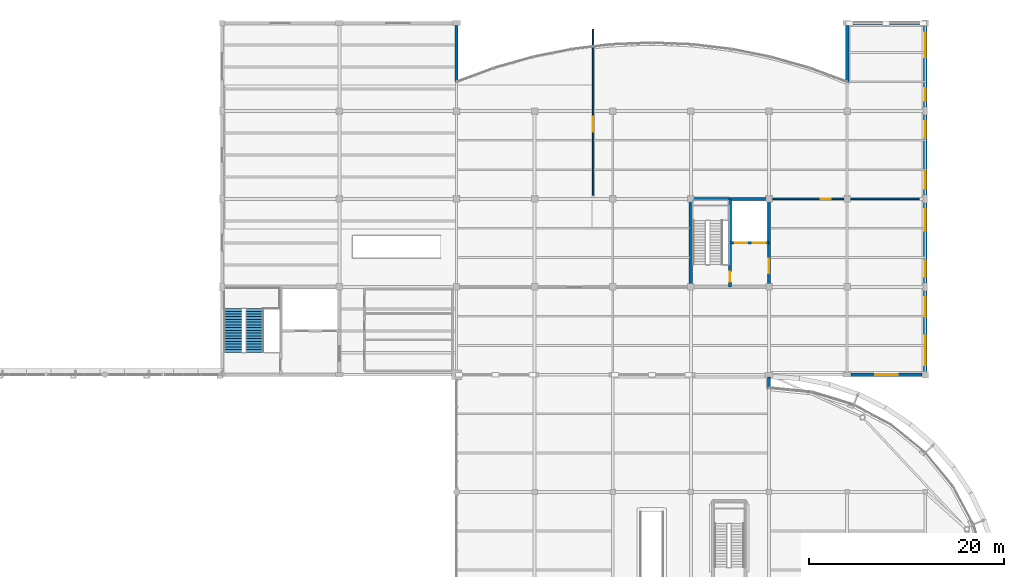
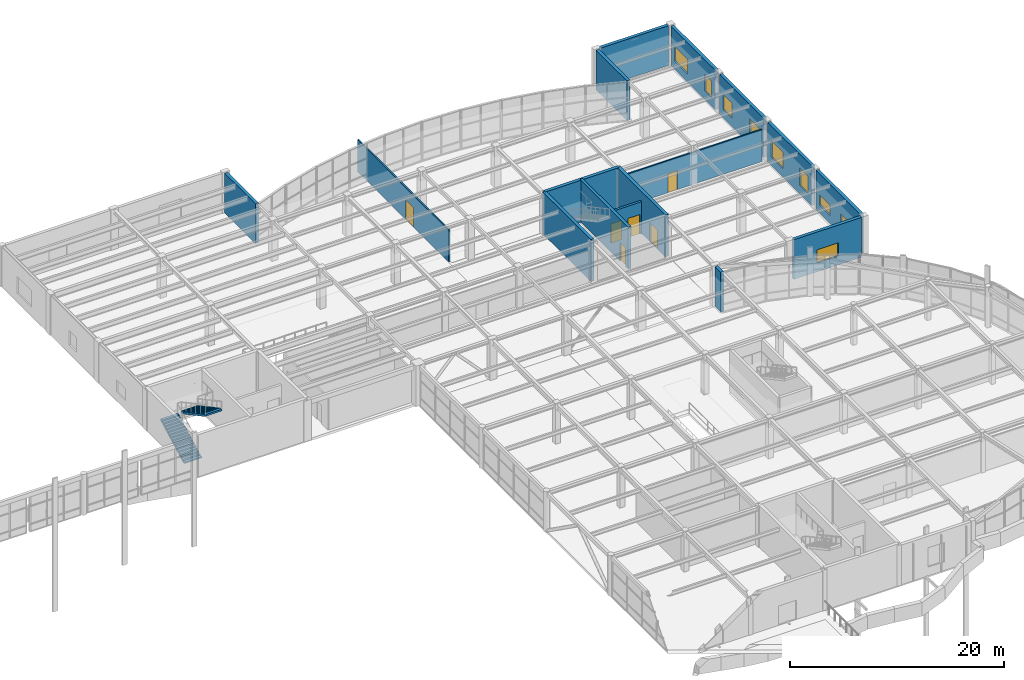
# One storey, part 48 of 63: 16 walls, 9 windows, 6 doors, 2 stair flights, 15 openings, 1 element without a shape of its own.
"""IFC4 building model written with IfcOpenShell, lengths in metres."""

from ifc_helpers import new_model, si_unit, direction, frame, frame_2d, origin, place, context, subcontext, project, spatial, polyline, rectangle, outline, extrude, material, layer, layer_set, type_object, element, fill, aggregate, save


model = new_model("IFC4")

# Units and contexts
model_context = context("Model", 3, precision=1e-05, world=origin(), true_north=direction((0.0, 1.0)))
body_context = subcontext(model_context, "Body", "Model", "MODEL_VIEW")
ifc_project = project(units=[si_unit("LENGTHUNIT", "METRE"), si_unit("AREAUNIT", "SQUARE_METRE"), si_unit("VOLUMEUNIT", "CUBIC_METRE"), si_unit("PLANEANGLEUNIT", "RADIAN"), si_unit("MASSUNIT", "GRAM", prefix="KILO")], contexts=[model_context])

# Site, building, storey
site_placement = place(None, origin())
site = spatial("IfcSite", under=ifc_project, at=site_placement, CompositionType="ELEMENT")
building_placement = place(site_placement, origin())
building = spatial("IfcBuilding", under=site, at=building_placement, Name="Keelwater Ferry Terminal", CompositionType="ELEMENT")
storey_placement = place(building_placement, frame((0.0, 0.0, 10.199951171875)))
storey = spatial("IfcBuildingStorey", under=building, at=storey_placement, Name="L02", CompositionType="ELEMENT", Elevation=10.199951171875)

# Wall
ifc_material_1 = material(Name="Precast concrete C40/50", Category="concrete")
ifc_layer_1 = layer(ifc_material_1, 0.340087890625)
ifc_layer_set_1 = layer_set([ifc_layer_1], Name="Precast concrete C40/50")
wall_type_1 = type_object("IfcWallType", Name="EW-LM340 External Solid Wall 340", PredefinedType="SOLIDWALL", material=ifc_layer_set_1)
wall_1_placement = place(storey_placement, frame((164.0, 88.64990234375, 0.0), z_axis=(0.0, 0.0, 1.0), x_axis=(0.0, 1.0, 0.0)))
element("IfcWall", 1, at=wall_1_placement, inside=storey, type_object=wall_type_1, Name="External Wall WL-L02-0028", PredefinedType="SOLIDWALL", context=body_context, shape_type="SweptSolid", body=[
    extrude(rectangle(XDim=1.10009765625, YDim=0.340087890625, at=frame_2d((0.550048828125, 0.0))), origin(), (0.0, 0.0, 1.0), 4.52001953125),
])

# Wall, openings, windows
wall_2_placement = place(storey_placement, frame((180.0, 90.324951171875, 0.0), z_axis=(0.0, 0.0, 1.0), x_axis=(0.0, 1.0, 0.0)))
wall_2 = element("IfcWall", 2, at=wall_2_placement, inside=storey, type_object=wall_type_1, Name="External Wall WL-L02-0096", PredefinedType="SOLIDWALL", context=body_context, shape_type="SweptSolid", body=[
    extrude(rectangle(XDim=8.275146484375, YDim=0.340087890625, at=frame_2d((4.1376953125, 0.0))), origin(), (0.0, 0.0, 1.0), 4.52001953125),
])
opening_1_placement = place(wall_2_placement, frame((0.64990234375, 0.0, 0.949951171875)))
opening_1 = element("IfcOpeningElement", 3, at=opening_1_placement, cuts=wall_2, Name="Opening WN-20", PredefinedType="OPENING", context=body_context, shape_type="SweptSolid", body=[
    extrude(rectangle(XDim=3.0, YDim=1.39990234375, at=frame_2d((1.5, 0.699951171875))), frame((0.0, 0.179931640625, 0.0), z_axis=(0.0, -1.0, 0.0), x_axis=(1.0, 0.0, 0.0)), (0.0, 0.0, 1.0), 0.360107421875),
])
opening_2_placement = place(wall_2_placement, frame((5.625, 0.0, 0.949951171875)))
opening_2 = element("IfcOpeningElement", 4, at=opening_2_placement, cuts=wall_2, Name="Opening WN-21", PredefinedType="OPENING", context=body_context, shape_type="SweptSolid", body=[
    extrude(rectangle(XDim=2.0, YDim=1.199951171875, at=frame_2d((1.0, 0.60009765625))), frame((0.0, 0.179931640625, 0.0), z_axis=(0.0, -1.0, 0.0), x_axis=(1.0, 0.0, 0.0)), (0.0, 0.0, 1.0), 0.360107421875),
])
ifc_material_2 = material(Name="Triple low-E glass in thermally broken aluminium frame", Category="aluminium")
window_type_1 = type_object("IfcWindowType", Name="WN-20 Exterior Window 3000x1400", PartitioningType="SINGLE_PANEL", PredefinedType="WINDOW", material=ifc_material_2)
window_1_placement = place(opening_1_placement, origin())
window_1 = element("IfcWindow", 5, at=window_1_placement, inside=storey, type_object=window_type_1, Name="Window WN-L02-0055", OverallHeight=1.39990234375, OverallWidth=3.0, PartitioningType="SINGLE_PANEL", PredefinedType="WINDOW", context=body_context, shape_type="SweptSolid", body=[
    extrude(rectangle(XDim=3.0, YDim=1.39990234375, at=frame_2d((1.5, 0.699951171875))), frame((0.0, 0.030029296875, 0.0), z_axis=(0.0, -1.0, 0.0), x_axis=(1.0, 0.0, 0.0)), (0.0, 0.0, 1.0), 0.06005859375),
])
fill(opening_1, window_1)
ifc_material_3 = material(Name="Triple low-E glass in thermally broken aluminium frame", Category="aluminium")
window_type_2 = type_object("IfcWindowType", Name="WN-21 Exterior Window 2000x1200", PartitioningType="SINGLE_PANEL", PredefinedType="WINDOW", material=ifc_material_3)
window_2_placement = place(opening_2_placement, origin())
window_2 = element("IfcWindow", 6, at=window_2_placement, inside=storey, type_object=window_type_2, Name="Window WN-L02-0056", OverallHeight=1.199951171875, OverallWidth=2.0, PartitioningType="SINGLE_PANEL", PredefinedType="WINDOW", context=body_context, shape_type="SweptSolid", body=[
    extrude(rectangle(XDim=2.0, YDim=1.199951171875, at=frame_2d((1.0, 0.60009765625))), frame((0.0, 0.030029296875, 0.0), z_axis=(0.0, -1.0, 0.0), x_axis=(1.0, 0.0, 0.0)), (0.0, 0.0, 1.0), 0.06005859375),
])
fill(opening_2, window_2)

wall_3_placement = place(storey_placement, frame((180.0, 99.39990234375, 0.0), z_axis=(0.0, 0.0, 1.0), x_axis=(0.0, 1.0, 0.0)))
wall_3 = element("IfcWall", 7, at=wall_3_placement, inside=storey, type_object=wall_type_1, Name="External Wall WL-L02-0097", PredefinedType="SOLIDWALL", context=body_context, shape_type="SweptSolid", body=[
    extrude(rectangle(XDim=8.2001953125, YDim=0.340087890625, at=frame_2d((4.10009765625, 0.0))), origin(), (0.0, 0.0, 1.0), 4.52001953125),
])
opening_3_placement = place(wall_3_placement, frame((0.64990234375, 0.0, 0.949951171875)))
opening_3 = element("IfcOpeningElement", 8, at=opening_3_placement, cuts=wall_3, Name="Opening WN-22", PredefinedType="OPENING", context=body_context, shape_type="SweptSolid", body=[
    extrude(rectangle(XDim=1.60009765625, YDim=2.0, at=frame_2d((0.800048828125, 1.0))), frame((0.0, 0.179931640625, 0.0), z_axis=(0.0, -1.0, 0.0), x_axis=(1.0, 0.0, 0.0)), (0.0, 0.0, 1.0), 0.360107421875),
])
opening_4_placement = place(wall_3_placement, frame((5.35009765625, 0.0, 0.949951171875)))
opening_4 = element("IfcOpeningElement", 9, at=opening_4_placement, cuts=wall_3, Name="Opening WN-23", PredefinedType="OPENING", context=body_context, shape_type="SweptSolid", body=[
    extrude(rectangle(XDim=2.199951171875, YDim=1.89990234375, at=frame_2d((1.10009765625, 0.949951171875))), frame((0.0, 0.179931640625, 0.0), z_axis=(0.0, -1.0, 0.0), x_axis=(1.0, 0.0, 0.0)), (0.0, 0.0, 1.0), 0.360107421875),
])
ifc_material_4 = material(Name="Triple low-E glass in thermally broken aluminium frame", Category="aluminium")
window_type_3 = type_object("IfcWindowType", Name="WN-22 Exterior Window 1600x2000", PartitioningType="SINGLE_PANEL", PredefinedType="WINDOW", material=ifc_material_4)
window_3_placement = place(opening_3_placement, origin())
window_3 = element("IfcWindow", 10, at=window_3_placement, inside=storey, type_object=window_type_3, Name="Window WN-L02-0057", OverallHeight=2.0, OverallWidth=1.60009765625, PartitioningType="SINGLE_PANEL", PredefinedType="WINDOW", context=body_context, shape_type="SweptSolid", body=[
    extrude(rectangle(XDim=1.60009765625, YDim=2.0, at=frame_2d((0.800048828125, 1.0))), frame((0.0, 0.030029296875, 0.0), z_axis=(0.0, -1.0, 0.0), x_axis=(1.0, 0.0, 0.0)), (0.0, 0.0, 1.0), 0.06005859375),
])
fill(opening_3, window_3)
ifc_material_5 = material(Name="Triple low-E glass in thermally broken aluminium frame", Category="aluminium")
window_type_4 = type_object("IfcWindowType", Name="WN-23 Exterior Window 2200x1900", PartitioningType="SINGLE_PANEL", PredefinedType="WINDOW", material=ifc_material_5)
window_4_placement = place(opening_4_placement, origin())
window_4 = element("IfcWindow", 11, at=window_4_placement, inside=storey, type_object=window_type_4, Name="Window WN-L02-0058", OverallHeight=1.89990234375, OverallWidth=2.199951171875, PartitioningType="SINGLE_PANEL", PredefinedType="WINDOW", context=body_context, shape_type="SweptSolid", body=[
    extrude(rectangle(XDim=2.199951171875, YDim=1.89990234375, at=frame_2d((1.10009765625, 0.949951171875))), frame((0.0, 0.030029296875, 0.0), z_axis=(0.0, -1.0, 0.0), x_axis=(1.0, 0.0, 0.0)), (0.0, 0.0, 1.0), 0.06005859375),
])
fill(opening_4, window_4)

wall_4_placement = place(storey_placement, frame((180.0, 108.39990234375, 0.0), z_axis=(0.0, 0.0, 1.0), x_axis=(0.0, 1.0, 0.0)))
wall_4 = element("IfcWall", 12, at=wall_4_placement, inside=storey, type_object=wall_type_1, Name="External Wall WL-L02-0098", PredefinedType="SOLIDWALL", context=body_context, shape_type="SweptSolid", body=[
    extrude(rectangle(XDim=8.2001953125, YDim=0.340087890625, at=frame_2d((4.10009765625, 0.0))), origin(), (0.0, 0.0, 1.0), 4.52001953125),
])
opening_5_placement = place(wall_4_placement, frame((0.64990234375, 0.0, 0.949951171875)))
opening_5 = element("IfcOpeningElement", 13, at=opening_5_placement, cuts=wall_4, Name="Opening WN-24", PredefinedType="OPENING", context=body_context, shape_type="SweptSolid", body=[
    extrude(rectangle(XDim=1.89990234375, YDim=1.89990234375, at=frame_2d((0.949951171875, 0.949951171875))), frame((0.0, 0.179931640625, 0.0), z_axis=(0.0, -1.0, 0.0), x_axis=(1.0, 0.0, 0.0)), (0.0, 0.0, 1.0), 0.360107421875),
])
opening_6_placement = place(wall_4_placement, frame((5.85009765625, 0.0, 0.949951171875)))
opening_6 = element("IfcOpeningElement", 14, at=opening_6_placement, cuts=wall_4, Name="Opening WN-25", PredefinedType="OPENING", context=body_context, shape_type="SweptSolid", body=[
    extrude(rectangle(XDim=1.699951171875, YDim=1.699951171875, at=frame_2d((0.85009765625, 0.85009765625))), frame((0.0, 0.179931640625, 0.0), z_axis=(0.0, -1.0, 0.0), x_axis=(1.0, 0.0, 0.0)), (0.0, 0.0, 1.0), 0.360107421875),
])
ifc_material_6 = material(Name="Triple low-E glass in thermally broken aluminium frame", Category="aluminium")
window_type_5 = type_object("IfcWindowType", Name="WN-24 Exterior Window 1900x1900", PartitioningType="SINGLE_PANEL", PredefinedType="WINDOW", material=ifc_material_6)
window_5_placement = place(opening_5_placement, origin())
window_5 = element("IfcWindow", 15, at=window_5_placement, inside=storey, type_object=window_type_5, Name="Window WN-L02-0059", OverallHeight=1.89990234375, OverallWidth=1.89990234375, PartitioningType="SINGLE_PANEL", PredefinedType="WINDOW", context=body_context, shape_type="SweptSolid", body=[
    extrude(rectangle(XDim=1.89990234375, YDim=1.89990234375, at=frame_2d((0.949951171875, 0.949951171875))), frame((0.0, 0.030029296875, 0.0), z_axis=(0.0, -1.0, 0.0), x_axis=(1.0, 0.0, 0.0)), (0.0, 0.0, 1.0), 0.06005859375),
])
fill(opening_5, window_5)
ifc_material_7 = material(Name="Triple low-E glass in thermally broken aluminium frame", Category="aluminium")
window_type_6 = type_object("IfcWindowType", Name="WN-25 Exterior Window 1700x1700", PartitioningType="SINGLE_PANEL", PredefinedType="WINDOW", material=ifc_material_7)
window_6_placement = place(opening_6_placement, origin())
window_6 = element("IfcWindow", 16, at=window_6_placement, inside=storey, type_object=window_type_6, Name="Window WN-L02-0060", OverallHeight=1.699951171875, OverallWidth=1.699951171875, PartitioningType="SINGLE_PANEL", PredefinedType="WINDOW", context=body_context, shape_type="SweptSolid", body=[
    extrude(rectangle(XDim=1.699951171875, YDim=1.699951171875, at=frame_2d((0.85009765625, 0.85009765625))), frame((0.0, 0.030029296875, 0.0), z_axis=(0.0, -1.0, 0.0), x_axis=(1.0, 0.0, 0.0)), (0.0, 0.0, 1.0), 0.06005859375),
])
fill(opening_6, window_6)

wall_5_placement = place(storey_placement, frame((180.0, 117.39990234375, 0.0), z_axis=(0.0, 0.0, 1.0), x_axis=(0.0, 1.0, 0.0)))
wall_5 = element("IfcWall", 17, at=wall_5_placement, inside=storey, type_object=wall_type_1, Name="External Wall WL-L02-0099", PredefinedType="SOLIDWALL", context=body_context, shape_type="SweptSolid", body=[
    extrude(rectangle(XDim=8.275146484375, YDim=0.340087890625, at=frame_2d((4.1376953125, 0.0))), origin(), (0.0, 0.0, 1.0), 4.52001953125),
])
opening_7_placement = place(wall_5_placement, frame((0.64990234375, 0.0, 0.949951171875)))
opening_7 = element("IfcOpeningElement", 18, at=opening_7_placement, cuts=wall_5, Name="Opening WN-26", PredefinedType="OPENING", context=body_context, shape_type="SweptSolid", body=[
    extrude(rectangle(XDim=1.300048828125, YDim=1.89990234375, at=frame_2d((0.64990234375, 0.949951171875))), frame((0.0, 0.179931640625, 0.0), z_axis=(0.0, -1.0, 0.0), x_axis=(1.0, 0.0, 0.0)), (0.0, 0.0, 1.0), 0.360107421875),
])
opening_8_placement = place(wall_5_placement, frame((5.125, 0.0, 0.949951171875)))
opening_8 = element("IfcOpeningElement", 19, at=opening_8_placement, cuts=wall_5, Name="Opening WN-27", PredefinedType="OPENING", context=body_context, shape_type="SweptSolid", body=[
    extrude(rectangle(XDim=2.5, YDim=1.699951171875, at=frame_2d((1.25, 0.85009765625))), frame((0.0, 0.179931640625, 0.0), z_axis=(0.0, -1.0, 0.0), x_axis=(1.0, 0.0, 0.0)), (0.0, 0.0, 1.0), 0.360107421875),
])
ifc_material_8 = material(Name="Triple low-E glass in thermally broken aluminium frame", Category="aluminium")
window_type_7 = type_object("IfcWindowType", Name="WN-26 Exterior Window 1300x1900", PartitioningType="SINGLE_PANEL", PredefinedType="WINDOW", material=ifc_material_8)
window_7_placement = place(opening_7_placement, origin())
window_7 = element("IfcWindow", 20, at=window_7_placement, inside=storey, type_object=window_type_7, Name="Window WN-L02-0061", OverallHeight=1.89990234375, OverallWidth=1.300048828125, PartitioningType="SINGLE_PANEL", PredefinedType="WINDOW", context=body_context, shape_type="SweptSolid", body=[
    extrude(rectangle(XDim=1.300048828125, YDim=1.89990234375, at=frame_2d((0.64990234375, 0.949951171875))), frame((0.0, 0.030029296875, 0.0), z_axis=(0.0, -1.0, 0.0), x_axis=(1.0, 0.0, 0.0)), (0.0, 0.0, 1.0), 0.06005859375),
])
fill(opening_7, window_7)
ifc_material_9 = material(Name="Triple low-E glass in thermally broken aluminium frame", Category="aluminium")
window_type_8 = type_object("IfcWindowType", Name="WN-27 Exterior Window 2500x1700", PartitioningType="SINGLE_PANEL", PredefinedType="WINDOW", material=ifc_material_9)
window_8_placement = place(opening_8_placement, origin())
window_8 = element("IfcWindow", 21, at=window_8_placement, inside=storey, type_object=window_type_8, Name="Window WN-L02-0062", OverallHeight=1.699951171875, OverallWidth=2.5, PartitioningType="SINGLE_PANEL", PredefinedType="WINDOW", context=body_context, shape_type="SweptSolid", body=[
    extrude(rectangle(XDim=2.5, YDim=1.699951171875, at=frame_2d((1.25, 0.85009765625))), frame((0.0, 0.030029296875, 0.0), z_axis=(0.0, -1.0, 0.0), x_axis=(1.0, 0.0, 0.0)), (0.0, 0.0, 1.0), 0.06005859375),
])
fill(opening_8, window_8)

# Wall, opening, window
wall_6_placement = place(storey_placement, frame((179.675048828125, 90.0, 0.0), z_axis=(0.0, 0.0, 1.0), x_axis=(-1.0, 0.0, 0.0)))
wall_6 = element("IfcWall", 22, at=wall_6_placement, inside=storey, type_object=wall_type_1, Name="External Wall WL-L02-0100", PredefinedType="SOLIDWALL", context=body_context, shape_type="SweptSolid", body=[
    extrude(rectangle(XDim=7.275146484375, YDim=0.340087890625, at=frame_2d((3.6376953125, 0.0))), origin(), (0.0, 0.0, 1.0), 4.52001953125),
])
opening_9_placement = place(wall_6_placement, frame((2.488037109375, 0.0, 1.0)))
opening_9 = element("IfcOpeningElement", 23, at=opening_9_placement, cuts=wall_6, Name="Opening WN-28", PredefinedType="OPENING", context=body_context, shape_type="SweptSolid", body=[
    extrude(rectangle(XDim=2.300048828125, YDim=1.5, at=frame_2d((1.14990234375, 0.75))), frame((0.0, 0.179931640625, 0.0), z_axis=(0.0, -1.0, 0.0), x_axis=(1.0, 0.0, 0.0)), (0.0, 0.0, 1.0), 0.360107421875),
])
ifc_material_10 = material(Name="Triple low-E glass in thermally broken aluminium frame", Category="aluminium")
window_type_9 = type_object("IfcWindowType", Name="WN-28 Exterior Window 2300x1500", PartitioningType="SINGLE_PANEL", PredefinedType="WINDOW", material=ifc_material_10)
window_9_placement = place(opening_9_placement, origin())
window_9 = element("IfcWindow", 24, at=window_9_placement, inside=storey, type_object=window_type_9, Name="Window WN-L02-0063", OverallHeight=1.5, OverallWidth=2.300048828125, PartitioningType="SINGLE_PANEL", PredefinedType="WINDOW", context=body_context, shape_type="SweptSolid", body=[
    extrude(rectangle(XDim=2.300048828125, YDim=1.5, at=frame_2d((1.14990234375, 0.75))), frame((0.0, 0.030029296875, 0.0), z_axis=(0.0, -1.0, 0.0), x_axis=(1.0, 0.0, 0.0)), (0.0, 0.0, 1.0), 0.06005859375),
])
fill(opening_9, window_9)

# Walls
for number, where, z_axis, x_axis, name in (
    (25, (132.0, 125.75, 0.0), (0.0, 0.0, 1.0), (0.0, -1.0, 0.0), "External Wall WL-L02-0104"),
    (26, (172.0, 120.0, 0.0), (0.0, 0.0, 1.0), (0.0, 1.0, 0.0), "External Wall WL-L02-0105"),
):
    element("IfcWall", number, at=place(storey_placement, frame(where, z_axis=z_axis, x_axis=x_axis)), inside=storey, type_object=wall_type_1, Name=name, PredefinedType="SOLIDWALL", context=body_context, shape_type="SweptSolid", body=[
        extrude(rectangle(XDim=5.75, YDim=0.340087890625, at=frame_2d((2.875, 0.0))), origin(), (0.0, 0.0, 1.0), 4.52001953125),
    ])
wall_7_placement = place(storey_placement, frame((172.39990234375, 126.0, 0.0), z_axis=(0.0, 0.0, 1.0), x_axis=(1.0, 0.0, 0.0)))
element("IfcWall", 27, at=wall_7_placement, inside=storey, type_object=wall_type_1, Name="External Wall WL-L02-0108", PredefinedType="SOLIDWALL", context=body_context, shape_type="SweptSolid", body=[
    extrude(rectangle(XDim=7.275146484375, YDim=0.340087890625, at=frame_2d((3.6376953125, 0.0))), origin(), (0.0, 0.0, 1.0), 4.52001953125),
])

# Wall, openings, doors
ifc_material_11 = material(Name="Concrete C40/50", Category="concrete")
ifc_layer_2 = layer(ifc_material_11, 0.25)
ifc_layer_set_2 = layer_set([ifc_layer_2], Name="Concrete C40/50")
wall_type_2 = type_object("IfcWallType", Name="IW-250 Solid Wall 250", PredefinedType="SOLIDWALL", material=ifc_layer_set_2)
wall_8_placement = place(storey_placement, frame((164.0, 103.5, 0.0), z_axis=(0.0, 0.0, 1.0), x_axis=(-1.0, 0.0, 0.0)))
wall_8 = element("IfcWall", 28, at=wall_8_placement, inside=storey, type_object=wall_type_2, Name="Interior Wall WL-INT-L02-0072", PredefinedType="SOLIDWALL", context=body_context, shape_type="SweptSolid", body=[
    extrude(rectangle(XDim=4.0, YDim=0.25, at=frame_2d((2.0, 0.0))), origin(), (0.0, 0.0, 1.0), 3.650146484375),
])
opening_10_placement = place(wall_8_placement, frame((0.35009765625, 0.0, 0.0)))
opening_10 = element("IfcOpeningElement", 29, at=opening_10_placement, cuts=wall_8, Name="Opening LD-023", PredefinedType="OPENING", context=body_context, shape_type="SweptSolid", body=[
    extrude(rectangle(XDim=1.300048828125, YDim=2.25, at=frame_2d((0.64990234375, 1.125))), frame((0.0, 0.135009765625, 0.0), z_axis=(0.0, -1.0, 0.0), x_axis=(1.0, 0.0, 0.0)), (0.0, 0.0, 1.0), 0.27001953125),
])
opening_11_placement = place(wall_8_placement, frame((2.25, 0.0, 0.0)))
opening_11 = element("IfcOpeningElement", 30, at=opening_11_placement, cuts=wall_8, Name="Opening LD-024", PredefinedType="OPENING", context=body_context, shape_type="SweptSolid", body=[
    extrude(rectangle(XDim=1.199951171875, YDim=2.199951171875, at=frame_2d((0.60009765625, 1.10009765625))), frame((0.0, 0.135009765625, 0.0), z_axis=(0.0, -1.0, 0.0), x_axis=(1.0, 0.0, 0.0)), (0.0, 0.0, 1.0), 0.27001953125),
])
ifc_material_12 = material(Name="Stainless steel sliding landing doors", Category="steel")
door_type_1 = type_object("IfcDoorType", Name="LD-T2 Lift Landing Door 1200x2200", OperationType="DOUBLE_DOOR_SLIDING", PredefinedType="USERDEFINED", material=ifc_material_12)
door_1_placement = place(opening_11_placement, origin())
door_1 = element("IfcDoor", 31, at=door_1_placement, inside=storey, type_object=door_type_1, Name="Door LD-024", ObjectType="LANDING DOOR", OperationType="DOUBLE_DOOR_SLIDING", OverallHeight=2.199951171875, OverallWidth=1.199951171875, PredefinedType="USERDEFINED", context=body_context, shape_type="SweptSolid", body=[
    extrude(rectangle(XDim=1.199951171875, YDim=2.199951171875, at=frame_2d((0.60009765625, 1.10009765625))), frame((0.0, 0.02490234375, 0.0), z_axis=(0.0, -1.0, 0.0), x_axis=(1.0, 0.0, 0.0)), (0.0, 0.0, 1.0), 0.050048828125),
])
fill(opening_11, door_1)
ifc_material_13 = material(Name="Stainless steel sliding landing doors", Category="steel")
door_type_2 = type_object("IfcDoorType", Name="LD-T3 Lift Landing Door 1300x2250", OperationType="DOUBLE_DOOR_SLIDING", PredefinedType="USERDEFINED", material=ifc_material_13)
door_2_placement = place(opening_10_placement, origin())
door_2 = element("IfcDoor", 32, at=door_2_placement, inside=storey, type_object=door_type_2, Name="Door LD-023", ObjectType="LANDING DOOR", OperationType="DOUBLE_DOOR_SLIDING", OverallHeight=2.25, OverallWidth=1.300048828125, PredefinedType="USERDEFINED", context=body_context, shape_type="SweptSolid", body=[
    extrude(rectangle(XDim=1.300048828125, YDim=2.25, at=frame_2d((0.64990234375, 1.125))), frame((0.0, 0.02490234375, 0.0), z_axis=(0.0, -1.0, 0.0), x_axis=(1.0, 0.0, 0.0)), (0.0, 0.0, 1.0), 0.050048828125),
])
fill(opening_10, door_2)

# Wall, opening, door
ifc_material_14 = material(Name="Gypsum board on acoustic steel stud", Category="steel")
ifc_layer_3 = layer(ifc_material_14, 0.14990234375)
ifc_layer_set_3 = layer_set([ifc_layer_3], Name="Gypsum board on acoustic steel stud")
wall_type_3 = type_object("IfcWallType", Name="PT-150 Partition Wall 150", PredefinedType="PARTITIONING", material=ifc_layer_set_3)
wall_9_placement = place(storey_placement, frame((146.0, 108.39990234375, 0.0), z_axis=(0.0, 0.0, 1.0), x_axis=(0.0, 1.0, 0.0)))
wall_9 = element("IfcWall", 33, at=wall_9_placement, inside=storey, type_object=wall_type_3, Name="Interior Wall WL-INT-L02-0258", PredefinedType="PARTITIONING", context=body_context, shape_type="SweptSolid", body=[
    extrude(rectangle(XDim=17.0, YDim=0.14990234375, at=frame_2d((8.5, 0.0))), origin(), (0.0, 0.0, 1.0), 3.650146484375),
])
opening_12_placement = place(wall_9_placement, frame((6.5, 0.0, 0.0)))
opening_12 = element("IfcOpeningElement", 34, at=opening_12_placement, cuts=wall_9, Name="Opening DR-039", PredefinedType="OPENING", context=body_context, shape_type="SweptSolid", body=[
    extrude(rectangle(XDim=1.5, YDim=2.199951171875, at=frame_2d((0.75, 1.10009765625))), frame((0.0, 0.0849609375, 0.0), z_axis=(0.0, -1.0, 0.0), x_axis=(1.0, 0.0, 0.0)), (0.0, 0.0, 1.0), 0.169921875),
])
ifc_material_15 = material(Name="Acoustic oak and fire-rated steel frame door", Category="steel")
door_type_3 = type_object("IfcDoorType", Name="ID-02 Pedestrian Door 1500x2200", OperationType="DOUBLE_DOOR_SINGLE_SWING", PredefinedType="DOOR", material=ifc_material_15)
door_3_placement = place(opening_12_placement, origin())
door_3 = element("IfcDoor", 35, at=door_3_placement, inside=storey, type_object=door_type_3, Name="Door DR-039", OperationType="DOUBLE_DOOR_SINGLE_SWING", OverallHeight=2.199951171875, OverallWidth=1.5, PredefinedType="DOOR", context=body_context, shape_type="SweptSolid", body=[
    extrude(rectangle(XDim=1.5, YDim=2.199951171875, at=frame_2d((0.75, 1.10009765625))), frame((0.0, 0.02490234375, 0.0), z_axis=(0.0, -1.0, 0.0), x_axis=(1.0, 0.0, 0.0)), (0.0, 0.0, 1.0), 0.050048828125),
])
fill(opening_12, door_3)

wall_10_placement = place(storey_placement, frame((164.39990234375, 108.0, 0.0), z_axis=(0.0, 0.0, 1.0), x_axis=(1.0, 0.0, 0.0)))
wall_10 = element("IfcWall", 36, at=wall_10_placement, inside=storey, type_object=wall_type_3, Name="Interior Wall WL-INT-L02-0259", PredefinedType="PARTITIONING", context=body_context, shape_type="SweptSolid", body=[
    extrude(rectangle(XDim=15.0, YDim=0.14990234375, at=frame_2d((7.5, 0.0))), origin(), (0.0, 0.0, 1.0), 3.650146484375),
])
opening_13_placement = place(wall_10_placement, frame((4.89990234375, 0.0, 0.0)))
opening_13 = element("IfcOpeningElement", 37, at=opening_13_placement, cuts=wall_10, Name="Opening DR-040", PredefinedType="OPENING", context=body_context, shape_type="SweptSolid", body=[
    extrude(rectangle(XDim=1.0, YDim=2.14990234375, at=frame_2d((0.5, 1.074951171875))), frame((0.0, 0.0849609375, 0.0), z_axis=(0.0, -1.0, 0.0), x_axis=(1.0, 0.0, 0.0)), (0.0, 0.0, 1.0), 0.169921875),
])
ifc_material_16 = material(Name="Acoustic oak and fire-rated steel frame door", Category="steel")
door_type_4 = type_object("IfcDoorType", Name="ID-07 Pedestrian Door 1000x2150", OperationType="NOTDEFINED", PredefinedType="DOOR", material=ifc_material_16)
door_4_placement = place(opening_13_placement, origin())
door_4 = element("IfcDoor", 38, at=door_4_placement, inside=storey, type_object=door_type_4, Name="Door DR-040", OperationType="SINGLE_SWING_RIGHT", OverallHeight=2.14990234375, OverallWidth=1.0, PredefinedType="DOOR", context=body_context, shape_type="SweptSolid", body=[
    extrude(rectangle(XDim=1.0, YDim=2.14990234375, at=frame_2d((0.5, 1.074951171875))), frame((0.0, 0.02490234375, 0.0), z_axis=(0.0, -1.0, 0.0), x_axis=(1.0, 0.0, 0.0)), (0.0, 0.0, 1.0), 0.050048828125),
])
fill(opening_13, door_4)

ifc_material_17 = material(Name="Concrete C45/55", Category="concrete")
ifc_layer_4 = layer(ifc_material_17, 0.300048828125)
ifc_layer_set_4 = layer_set([ifc_layer_4], Name="Concrete C45/55")
wall_type_4 = type_object("IfcWallType", Name="SW-300 Shear Wall 300", PredefinedType="SHEAR", material=ifc_layer_set_4)
wall_11_placement = place(storey_placement, frame((160.0, 108.0, 0.0), z_axis=(0.0, 0.0, 1.0), x_axis=(0.0, -1.0, 0.0)))
wall_11 = element("IfcWall", 39, at=wall_11_placement, inside=storey, type_object=wall_type_4, Name="Interior Wall WL-INT-L02-0071", PredefinedType="SHEAR", context=body_context, shape_type="SweptSolid", body=[
    extrude(rectangle(XDim=9.0, YDim=0.300048828125, at=frame_2d((4.5, 0.0))), origin(), (0.0, 0.0, 1.0), 4.780029296875),
])
opening_14_placement = place(wall_11_placement, frame((7.449951171875, 0.0, 0.0)))
opening_14 = element("IfcOpeningElement", 40, at=opening_14_placement, cuts=wall_11, Name="Opening FD-023", PredefinedType="OPENING", context=body_context, shape_type="SweptSolid", body=[
    extrude(rectangle(XDim=1.050048828125, YDim=2.14990234375, at=frame_2d((0.52490234375, 1.074951171875))), frame((0.0, 0.159912109375, 0.0), z_axis=(0.0, -1.0, 0.0), x_axis=(1.0, 0.0, 0.0)), (0.0, 0.0, 1.0), 0.320068359375),
])
ifc_material_18 = material(Name="Acoustic oak and fire-rated steel frame door", Category="steel")
door_type_5 = type_object("IfcDoorType", Name="ID-06 Pedestrian Door 1050x2150", OperationType="NOTDEFINED", PredefinedType="DOOR", material=ifc_material_18)
door_5_placement = place(opening_14_placement, origin())
door_5 = element("IfcDoor", 41, at=door_5_placement, inside=storey, type_object=door_type_5, Name="Door FD-023", OperationType="SINGLE_SWING_LEFT", OverallHeight=2.14990234375, OverallWidth=1.050048828125, PredefinedType="DOOR", context=body_context, shape_type="SweptSolid", body=[
    extrude(rectangle(XDim=1.050048828125, YDim=2.14990234375, at=frame_2d((0.52490234375, 1.074951171875))), frame((0.0, 0.02490234375, 0.0), z_axis=(0.0, -1.0, 0.0), x_axis=(1.0, 0.0, 0.0)), (0.0, 0.0, 1.0), 0.050048828125),
])
fill(opening_14, door_5)

# Walls
ifc_material_19 = material(Name="Concrete C45/55", Category="concrete")
ifc_layer_5 = layer(ifc_material_19, 0.35009765625)
ifc_layer_set_5 = layer_set([ifc_layer_5], Name="Concrete C45/55")
wall_type_5 = type_object("IfcWallType", Name="SW-350 Shear Wall 350", PredefinedType="SHEAR", material=ifc_layer_set_5)
wall_12_placement = place(storey_placement, frame((156.0, 108.0, 0.0), z_axis=(0.0, 0.0, 1.0), x_axis=(1.0, 0.0, 0.0)))
element("IfcWall", 42, at=wall_12_placement, inside=storey, type_object=wall_type_5, Name="Interior Wall WL-INT-L02-0068", PredefinedType="SHEAR", context=body_context, shape_type="SweptSolid", body=[
    extrude(rectangle(XDim=8.0, YDim=0.35009765625, at=frame_2d((4.0, 0.0))), origin(), (0.0, 0.0, 1.0), 4.780029296875),
])
wall_13_placement = place(storey_placement, frame((156.0, 99.0, 0.0), z_axis=(0.0, 0.0, 1.0), x_axis=(0.0, 1.0, 0.0)))
element("IfcWall", 43, at=wall_13_placement, inside=storey, type_object=wall_type_5, Name="Interior Wall WL-INT-L02-0069", PredefinedType="SHEAR", context=body_context, shape_type="SweptSolid", body=[
    extrude(rectangle(XDim=9.0, YDim=0.35009765625, at=frame_2d((4.5, 0.0))), origin(), (0.0, 0.0, 1.0), 4.780029296875),
])

# Wall, opening, door
wall_14_placement = place(storey_placement, frame((164.0, 99.0, 0.0), z_axis=(0.0, 0.0, 1.0), x_axis=(0.0, 1.0, 0.0)))
wall_14 = element("IfcWall", 44, at=wall_14_placement, inside=storey, type_object=wall_type_5, Name="Interior Wall WL-INT-L02-0070", PredefinedType="SHEAR", context=body_context, shape_type="SweptSolid", body=[
    extrude(rectangle(XDim=9.0, YDim=0.35009765625, at=frame_2d((4.5, 0.0))), origin(), (0.0, 0.0, 1.0), 4.780029296875),
])
opening_15_placement = place(wall_14_placement, frame((1.39990234375, 0.0, 0.0)))
opening_15 = element("IfcOpeningElement", 45, at=opening_15_placement, cuts=wall_14, Name="Opening FD-024", PredefinedType="OPENING", context=body_context, shape_type="SweptSolid", body=[
    extrude(rectangle(XDim=1.5, YDim=2.199951171875, at=frame_2d((0.75, 1.10009765625))), frame((0.0, 0.18505859375, 0.0), z_axis=(0.0, -1.0, 0.0), x_axis=(1.0, 0.0, 0.0)), (0.0, 0.0, 1.0), 0.3701171875),
])
door_6_placement = place(opening_15_placement, origin())
door_6 = element("IfcDoor", 46, at=door_6_placement, inside=storey, type_object=door_type_3, Name="Door FD-024", OperationType="DOUBLE_DOOR_SINGLE_SWING", OverallHeight=2.199951171875, OverallWidth=1.5, PredefinedType="DOOR", context=body_context, shape_type="SweptSolid", body=[
    extrude(rectangle(XDim=1.5, YDim=2.199951171875, at=frame_2d((0.75, 1.10009765625))), frame((0.0, 0.02490234375, 0.0), z_axis=(0.0, -1.0, 0.0), x_axis=(1.0, 0.0, 0.0)), (0.0, 0.0, 1.0), 0.050048828125),
])
fill(opening_15, door_6)

# Stair, stair flights
ifc_material_20 = material(Name="Concrete C40/50", Category="concrete")
stair_type = type_object("IfcStairType", Name="ST-T04 Half-Turn Stair 1850W 32R", PredefinedType="HALF_TURN_STAIR", material=ifc_material_20)
stair_placement = place(storey_placement, origin())
stair = element("IfcStair", 47, at=stair_placement, inside=storey, type_object=stair_type, Name="Half-Turn Stair ST-C2-L02", PredefinedType="HALF_TURN_STAIR")
ifc_material_21 = material(Name="Concrete C40/50", Category="concrete")
stair_flight_type = type_object("IfcStairFlightType", Name="FL-T04 Straight Flight 1850W 32R", PredefinedType="STRAIGHT", material=ifc_material_21)
stair_flight_1_placement = place(storey_placement, frame((109.125, 92.300048828125, 0.0), z_axis=(0.0, 0.0, 1.0), x_axis=(0.0, 1.0, 0.0)))
stair_flight_1 = element("IfcStairFlight", 48, at=stair_flight_1_placement, type_object=stair_flight_type, Name="ST-C2-L02 flight 1", NumberOfRisers=16, NumberOfTreads=15, PredefinedType="STRAIGHT", RiserHeight=0.15, TreadLength=0.28, context=body_context, shape_type="SweptSolid", body=[
    extrude(outline(polyline([(0.0, 0.0), (0.0, 0.14990234375), (0.280029296875, 0.14990234375), (0.280029296875, 0.300048828125), (0.56005859375, 0.300048828125), (0.56005859375, 0.449951171875), (0.840087890625, 0.449951171875), (0.840087890625, 0.60009765625), (1.1201171875, 0.60009765625), (1.1201171875, 0.75), (1.39990234375, 0.75), (1.39990234375, 0.89990234375), (1.679931640625, 0.89990234375), (1.679931640625, 1.050048828125), (1.9599609375, 1.050048828125), (1.9599609375, 1.199951171875), (2.239990234375, 1.199951171875), (2.239990234375, 1.35009765625), (2.52001953125, 1.35009765625), (2.52001953125, 1.5), (2.800048828125, 1.5), (2.800048828125, 1.64990234375), (3.080078125, 1.64990234375), (3.080078125, 1.800048828125), (3.360107421875, 1.800048828125), (3.360107421875, 1.949951171875), (3.639892578125, 1.949951171875), (3.639892578125, 2.10009765625), (3.919921875, 2.10009765625), (3.919921875, 2.25), (4.199951171875, 2.25), (4.199951171875, 2.39990234375), (4.47998046875, 2.39990234375), (4.47998046875, 2.19580078125), (0.381103515625, 0.0), (0.0, 0.0)])), frame((0.0, 0.925048828125, 0.0), z_axis=(0.0, -1.0, 0.0), x_axis=(1.0, 0.0, 0.0)), (0.0, 0.0, 1.0), 1.85009765625),
])
stair_flight_2_placement = place(storey_placement, frame((111.31494140625, 96.780029296875, 2.400146484375), z_axis=(0.0, 0.0, 1.0), x_axis=(0.0, -1.0, 0.0)))
stair_flight_2 = element("IfcStairFlight", 49, at=stair_flight_2_placement, type_object=stair_flight_type, Name="ST-C2-L02 flight 2", NumberOfRisers=16, NumberOfTreads=15, PredefinedType="STRAIGHT", RiserHeight=0.15, TreadLength=0.28, context=body_context, shape_type="SweptSolid", body=[
    extrude(outline(polyline([(0.0, 0.0), (0.0, 0.14990234375), (0.280029296875, 0.14990234375), (0.280029296875, 0.300048828125), (0.56005859375, 0.300048828125), (0.56005859375, 0.449951171875), (0.840087890625, 0.449951171875), (0.840087890625, 0.60009765625), (1.1201171875, 0.60009765625), (1.1201171875, 0.75), (1.39990234375, 0.75), (1.39990234375, 0.89990234375), (1.679931640625, 0.89990234375), (1.679931640625, 1.050048828125), (1.9599609375, 1.050048828125), (1.9599609375, 1.199951171875), (2.239990234375, 1.199951171875), (2.239990234375, 1.35009765625), (2.52001953125, 1.35009765625), (2.52001953125, 1.5), (2.800048828125, 1.5), (2.800048828125, 1.64990234375), (3.080078125, 1.64990234375), (3.080078125, 1.800048828125), (3.360107421875, 1.800048828125), (3.360107421875, 1.949951171875), (3.639892578125, 1.949951171875), (3.639892578125, 2.10009765625), (3.919921875, 2.10009765625), (3.919921875, 2.25), (4.199951171875, 2.25), (4.199951171875, 2.39990234375), (4.47998046875, 2.39990234375), (4.47998046875, 2.19580078125), (0.381103515625, 0.0), (0.0, 0.0)])), frame((0.0, 0.925048828125, 0.0), z_axis=(0.0, -1.0, 0.0), x_axis=(1.0, 0.0, 0.0)), (0.0, 0.0, 1.0), 1.85009765625),
])
aggregate(stair, [stair_flight_1, stair_flight_2])

save(model, "model.ifc")
